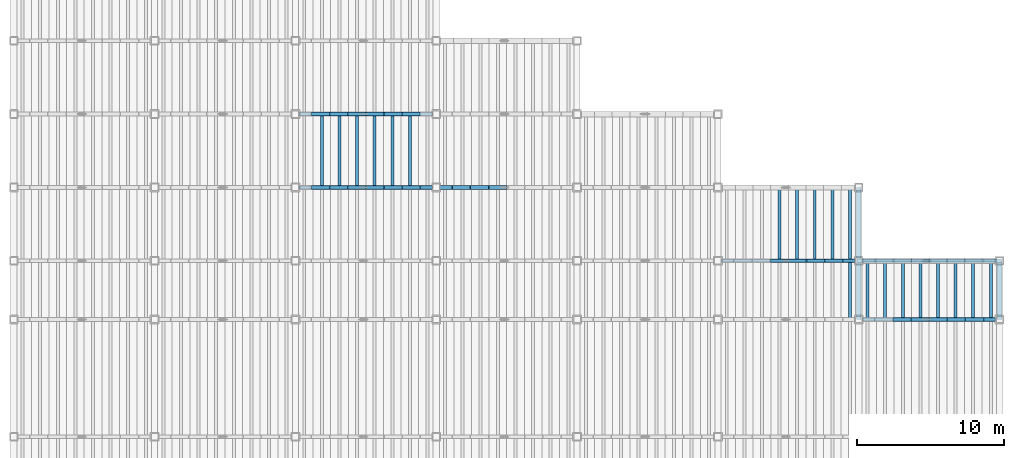
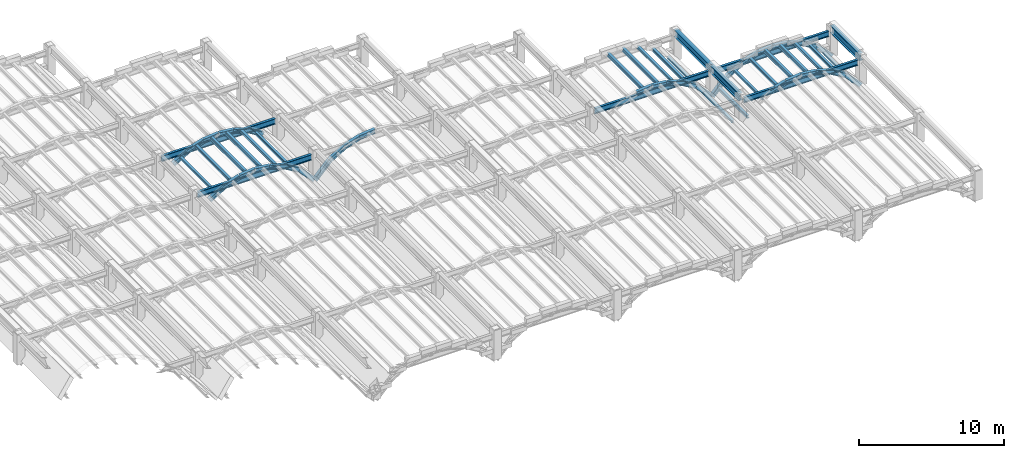
# One storey, part 27 of 70: 56 members, 8 beams.
"""IFC4 building model written with IfcOpenShell, lengths in metres."""

import ifcopenshell
import ifcopenshell.guid

model = None  # the IFC model being written
_history = None  # IfcOwnerHistory: only IFC2X3 demands one
_inside = {}  # id of a spatial element -> (the spatial element, [elements in it])
_under = {}  # id of a project, library or spatial element -> (it, [spatial elements below it])
_declared = {}  # id of a project -> (the project, [libraries it declares])
_typed = {}  # id of a type object -> (the type object, [elements of that type])
_made_of = {}  # id of a material, layer set ... -> (it, [elements and type objects made of it])


def new_model(schema):
    """Start an empty IFC model of exactly this schema.

    Asked for "IFC4X3", IfcOpenShell would pick the latest addendum, in which some entities
    have other attributes; the version numbers below select the first issue.
    IFC2X3 requires an IfcOwnerHistory on every rooted entity: one is made here for all.
    """
    global model, _history
    if schema == "IFC4X3":
        model = ifcopenshell.file(schema_version=(4, 3, 0, 0))
    else:
        model = ifcopenshell.file(schema=schema)
    _inside.clear()
    _under.clear()
    _declared.clear()
    _typed.clear()
    _made_of.clear()
    _history = None
    if model.schema == "IFC2X3":
        org = make("IfcOrganization", Name="unknown")
        user = make(
            "IfcPersonAndOrganization",
            ThePerson=make("IfcPerson", FamilyName="unknown"),
            TheOrganization=org,
        )
        app = make(
            "IfcApplication",
            ApplicationDeveloper=org,
            Version="unknown",
            ApplicationFullName="unknown",
            ApplicationIdentifier="unknown",
        )
        _history = make(
            "IfcOwnerHistory",
            OwningUser=user,
            OwningApplication=app,
            ChangeAction="ADDED",
            CreationDate=0,
        )
    return model


def make(cls, **values):
    """One entity of the class cls with the attributes given. An attribute that is None is left unset."""
    return model.create_entity(
        cls, **{name: value for name, value in values.items() if value is not None}
    )


def rooted(cls, **values):
    """An entity with a GlobalId (a new one), such as an element, a storey or a relation."""
    return make(cls, GlobalId=ifcopenshell.guid.new(), OwnerHistory=_history, **values)


def si_unit(unit_type, name, prefix=None):
    """IfcSIUnit, for example si_unit("LENGTHUNIT", "METRE", prefix="MILLI")."""
    return make("IfcSIUnit", UnitType=unit_type, Prefix=prefix, Name=name)


def assignment(units):
    """IfcUnitAssignment: the units of a project."""
    return None if units is None else make("IfcUnitAssignment", Units=units)


def point(xyz):
    """IfcCartesianPoint."""
    return None if xyz is None else make("IfcCartesianPoint", Coordinates=xyz)


def direction(xyz):
    """IfcDirection."""
    return None if xyz is None else make("IfcDirection", DirectionRatios=xyz)


def frame(location, z_axis=None, x_axis=None):
    """IfcAxis2Placement3D, a coordinate frame: its origin and axes. An axis left out is left unset."""
    return make(
        "IfcAxis2Placement3D",
        Location=point(location),
        Axis=direction(z_axis),
        RefDirection=direction(x_axis),
    )


def frame_2d(location, x_axis=None):
    """IfcAxis2Placement2D, a coordinate frame in the plane: its origin and x axis."""
    return make(
        "IfcAxis2Placement2D", Location=point(location), RefDirection=direction(x_axis)
    )


def origin():
    """The frame at (0, 0, 0) with its axes left unset."""
    return frame((0.0, 0.0, 0.0))


def origin_2d():
    """The frame at (0, 0) in the plane with its x axis left unset."""
    return frame_2d((0.0, 0.0))


def place(relative_to, where):
    """IfcLocalPlacement: puts the frame where relative to a parent placement (None: the world)."""
    return make(
        "IfcLocalPlacement", PlacementRelTo=relative_to, RelativePlacement=where
    )


def context(
    kind, dimensions, precision=None, world=None, true_north=None, identifier=None
):
    """IfcGeometricRepresentationContext, for example the 3D "Model" context."""
    return make(
        "IfcGeometricRepresentationContext",
        ContextIdentifier=identifier,
        ContextType=kind,
        CoordinateSpaceDimension=dimensions,
        Precision=precision,
        WorldCoordinateSystem=world,
        TrueNorth=true_north,
    )


def subcontext(parent, identifier, kind, view, scale=None):
    """IfcGeometricRepresentationSubContext, for example "Body" below "Model"."""
    return make(
        "IfcGeometricRepresentationSubContext",
        ContextIdentifier=identifier,
        ContextType=kind,
        ParentContext=parent,
        TargetScale=scale,
        TargetView=view,
    )


def project(units=None, contexts=None):
    """IfcProject with its units and contexts."""
    return rooted(
        "IfcProject",
        Name="project",
        RepresentationContexts=contexts,
        UnitsInContext=assignment(units),
    )


def spatial(cls, under=None, at=None, **own):
    """A site, building, storey or space (cls), placed at a placement, below another one or the project."""
    s = rooted(cls, ObjectPlacement=at, **own)
    if under is not None:
        _under.setdefault(under.id(), (under, []))[1].append(s)
    return s


def profile(cls, at=None, kind="AREA", **sizes):
    """A parametric profile (cls). Its sizes go by their IFC names, for example OverallWidth=200.0."""
    return make(cls, ProfileType=kind, Position=at, **sizes)


def i_section(**sizes):
    """IfcIShapeProfileDef."""
    return profile("IfcIShapeProfileDef", **sizes)


def extrude(swept, where, along, depth):
    """IfcExtrudedAreaSolid: the profile swept, set in the frame where, extruded along a direction by depth."""
    return make(
        "IfcExtrudedAreaSolid",
        SweptArea=swept,
        Position=where,
        ExtrudedDirection=direction(along),
        Depth=depth,
    )


def shape(context_of_items, identifier, shape_type, items):
    """IfcShapeRepresentation: the items that make up one representation, for example the "Body"."""
    return make(
        "IfcShapeRepresentation",
        ContextOfItems=context_of_items,
        RepresentationIdentifier=identifier,
        RepresentationType=shape_type,
        Items=items,
    )


def material(Name=None, Category=None):
    """IfcMaterial."""
    return make("IfcMaterial", Name=Name, Category=Category)


def material_profile(
    of_material, cross_section, Name=None, Category=None, Priority=None
):
    """IfcMaterialProfile: a cross section and its material."""
    return make(
        "IfcMaterialProfile",
        Name=Name,
        Material=of_material,
        Profile=cross_section,
        Priority=Priority,
        Category=Category,
    )


def profile_set(profiles, Name=None, composite=None):
    """IfcMaterialProfileSet."""
    return make(
        "IfcMaterialProfileSet",
        Name=Name,
        MaterialProfiles=profiles,
        CompositeProfile=composite,
    )


def made_of(thing, what):
    """Note that an element or type object is made of a material, layer set ...; save() writes the relation."""
    if what is not None:
        _made_of.setdefault(what.id(), (what, []))[1].append(thing)
    return thing


def type_object(cls, material=None, **own):
    """A type object (cls), such as IfcWallType, which elements share."""
    return made_of(rooted(cls, **own), material)


def element(
    cls,
    number,
    at=None,
    inside=None,
    cuts=None,
    type_object=None,
    material=None,
    context=None,
    identifier="Body",
    shape_type=None,
    held_by="IfcProductDefinitionShape",
    body=None,
    shapes=None,
    **own,
):
    """One element of the class cls, such as IfcWall. Its Tag is "e" and its number.

    at: its placement. inside: the storey or other place that contains it. cuts: it is an
    opening in that element (IfcRelVoidsElement). A single representation is given by context,
    identifier, shape_type and body (its items); several are given by shapes. held_by: the class
    of the entity that holds the representations. save() writes the other relations.
    """
    e = rooted(cls, Tag="e%d" % number, ObjectPlacement=at, **own)
    if body is not None:
        shapes = [shape(context, identifier, shape_type, body)]
    if shapes is not None:
        e.Representation = make(held_by, Representations=shapes)
    if inside is not None:
        _inside.setdefault(inside.id(), (inside, []))[1].append(e)
    if cuts is not None:
        rooted(
            "IfcRelVoidsElement", RelatingBuildingElement=cuts, RelatedOpeningElement=e
        )
    if type_object is not None:
        _typed.setdefault(type_object.id(), (type_object, []))[1].append(e)
    return made_of(e, material)


def aggregate(whole, parts):
    """IfcRelAggregates: a whole, such as a stair, and the parts it consists of."""
    return rooted("IfcRelAggregates", RelatingObject=whole, RelatedObjects=parts)


def save(model, path):
    """Write the relations noted so far, then the file.

    IfcRelAggregates (storeys below a building ...), IfcRelContainedInSpatialStructure (elements
    in a storey), IfcRelDefinesByType, IfcRelAssociatesMaterial and IfcRelDeclares: one each for
    every whole, place, type object, material and project.
    """
    for whole, parts in _under.values():
        aggregate(whole, parts)
    for where, things in _inside.values():
        rooted(
            "IfcRelContainedInSpatialStructure",
            RelatedElements=things,
            RelatingStructure=where,
        )
    for kind, things in _typed.values():
        rooted("IfcRelDefinesByType", RelatedObjects=things, RelatingType=kind)
    for what, things in _made_of.values():
        rooted("IfcRelAssociatesMaterial", RelatedObjects=things, RelatingMaterial=what)
    for by, libraries in _declared.values():
        rooted("IfcRelDeclares", RelatingContext=by, RelatedDefinitions=libraries)
    model.write(path)


model = new_model("IFC4")

# Units and contexts
model_context = context("Model", 3, precision=1e-05, world=origin(), true_north=direction((0.0, 1.0)))
body_context = subcontext(model_context, "Body", "Model", "MODEL_VIEW")
ifc_project = project(units=[si_unit("LENGTHUNIT", "METRE"), si_unit("AREAUNIT", "SQUARE_METRE"), si_unit("VOLUMEUNIT", "CUBIC_METRE"), si_unit("PLANEANGLEUNIT", "RADIAN"), si_unit("MASSUNIT", "GRAM", prefix="KILO")], contexts=[model_context])

# Site, building, storey
site_placement = place(None, origin())
site = spatial("IfcSite", under=ifc_project, at=site_placement, CompositionType="ELEMENT")
building_placement = place(site_placement, origin())
building = spatial("IfcBuilding", under=site, at=building_placement, Name="Mavantir Sound Aquarium", CompositionType="ELEMENT")
storey_placement = place(building_placement, frame((0.0, 0.0, 27.0)))
storey = spatial("IfcBuildingStorey", under=building, at=storey_placement, Name="RF", CompositionType="ELEMENT", Elevation=27.0)

# Beams
ifc_material = material(Name="Structural Steel ASTM A992 Gr50", Category="steel")
ifc_material_profile_1 = material_profile(ifc_material, i_section(OverallWidth=0.194091796875, OverallDepth=0.468994140625, WebThickness=0.0126953125, FlangeThickness=0.0205078125, FilletRadius=0.01611328125, at=origin_2d()), Name="W460X106")
ifc_profile_set_1 = profile_set([ifc_material_profile_1], Name="Structural Steel ASTM A992 Gr50")
beam_type_1 = type_object("IfcBeamType", Name="BM-W460X106-I", PredefinedType="BEAM", material=ifc_profile_set_1)
for number, where, z_axis, x_axis, name in (
    (1, (127.449951171875, 65.800048828125, -5.327392578125), (1.0, 0.0, 0.0), (0.0, 1.0, 0.0), "Scalloped bay 3 transverse tie girder 231"),
    (2, (127.449951171875, 70.800048828125, -5.327392578125), (1.0, 0.0, 0.0), (0.0, 1.0, 0.0), "Scalloped bay 3 transverse tie girder 241"),
    (3, (156.25, 60.800048828125, -5.327392578125), (1.0, 0.0, 0.0), (0.0, 1.0, 0.0), "Scalloped bay 6 transverse tie girder 431"),
):
    element("IfcBeam", number, at=place(storey_placement, frame(where, z_axis=z_axis, x_axis=x_axis)), inside=storey, type_object=beam_type_1, Name=name, PredefinedType="BEAM", context=body_context, shape_type="SweptSolid", body=[
        extrude(i_section(OverallWidth=0.194091796875, OverallDepth=0.468994140625, WebThickness=0.0126953125, FlangeThickness=0.0205078125, FilletRadius=0.01611328125, at=origin_2d()), origin(), (0.0, 0.0, 1.0), 9.10009765625),
    ])
for number, where, z_axis, x_axis, name in (
    (4, (165.85009765625, 56.800048828125, -5.327392578125), (1.0, 0.0, 0.0), (0.0, 1.0, 0.0), "Scalloped bay 7 transverse tie girder 471"),
    (5, (165.85009765625, 60.800048828125, -5.327392578125), (1.0, 0.0, 0.0), (0.0, 1.0, 0.0), "Scalloped bay 7 transverse tie girder 481"),
):
    element("IfcBeam", number, at=place(storey_placement, frame(where, z_axis=z_axis, x_axis=x_axis)), inside=storey, type_object=beam_type_1, Name=name, PredefinedType="BEAM", context=body_context, shape_type="SweptSolid", body=[
        extrude(i_section(OverallWidth=0.194091796875, OverallDepth=0.468994140625, WebThickness=0.0126953125, FlangeThickness=0.0205078125, FilletRadius=0.01611328125, at=origin_2d()), origin(), (0.0, 0.0, 1.0), 9.099853515625),
    ])
ifc_material_profile_2 = material_profile(ifc_material, i_section(OverallWidth=0.323974609375, OverallDepth=0.611083984375, WebThickness=0.0126953125, FlangeThickness=0.01904296875, FilletRadius=0.01904296875, at=origin_2d()), Name="W610X155")
ifc_profile_set_2 = profile_set([ifc_material_profile_2], Name="Structural Steel ASTM A992 Gr50")
beam_type_2 = type_object("IfcBeamType", Name="BM-W610X155-E", PredefinedType="BEAM", material=ifc_profile_set_2)
beam_1_placement = place(storey_placement, frame((165.60009765625, 56.800048828125, -5.0048828125), z_axis=(0.0, 1.0, 0.0), x_axis=(-1.0, 0.0, 0.0)))
element("IfcBeam", 6, at=beam_1_placement, inside=storey, type_object=beam_type_2, Name="Scalloped roof straight ridge beam 47", PredefinedType="BEAM", context=body_context, shape_type="SweptSolid", body=[
    extrude(i_section(OverallWidth=0.323974609375, OverallDepth=0.611083984375, WebThickness=0.0126953125, FlangeThickness=0.01904296875, FilletRadius=0.01904296875, at=origin_2d()), origin(), (0.0, 0.0, 1.0), 4.0),
])
beam_2_placement = place(storey_placement, frame((165.60009765625, 60.800048828125, -5.0048828125), z_axis=(0.0, 1.0, 0.0), x_axis=(-1.0, 0.0, 0.0)))
element("IfcBeam", 7, at=beam_2_placement, inside=storey, type_object=beam_type_2, Name="Scalloped roof straight ridge beam 48", PredefinedType="BEAM", context=body_context, shape_type="SweptSolid", body=[
    extrude(i_section(OverallWidth=0.323974609375, OverallDepth=0.611083984375, WebThickness=0.0126953125, FlangeThickness=0.01904296875, FilletRadius=0.01904296875, at=origin_2d()), origin(), (0.0, 0.0, 1.0), 5.0),
])
beam_3_placement = place(storey_placement, frame((175.199951171875, 56.800048828125, -5.0048828125), z_axis=(0.0, 1.0, 0.0), x_axis=(-1.0, 0.0, 0.0)))
element("IfcBeam", 8, at=beam_3_placement, inside=storey, type_object=beam_type_2, Name="Scalloped roof straight ridge beam 51", PredefinedType="BEAM", context=body_context, shape_type="SweptSolid", body=[
    extrude(i_section(OverallWidth=0.323974609375, OverallDepth=0.611083984375, WebThickness=0.0126953125, FlangeThickness=0.01904296875, FilletRadius=0.01904296875, at=origin_2d()), origin(), (0.0, 0.0, 1.0), 4.0),
])

# Members
ifc_material_profile_3 = material_profile(ifc_material, i_section(OverallWidth=0.202880859375, OverallDepth=0.202880859375, WebThickness=0.007080078125, FlangeThickness=0.010986328125, FilletRadius=0.010009765625, at=origin_2d()), Name="W200X46")
ifc_profile_set_3 = profile_set([ifc_material_profile_3], Name="Structural Steel ASTM A992 Gr50")
member_type_1 = type_object("IfcMemberType", Name="MEM-TR-W200", PredefinedType="PURLIN", material=ifc_profile_set_3)
for number, where, z_axis, x_axis, name in (
    (9, (129.0, 65.800048828125, -5.77978515625), (0.0, 1.0, 0.0), (-1.0, 0.0, 0.0), "Scalloped bay 3 roof purlin 170"),
    (10, (133.800048828125, 65.800048828125, -5.169921875), (0.0, 1.0, 0.0), (-1.0, 0.0, 0.0), "Scalloped bay 3 roof purlin 174"),
):
    element("IfcMember", number, at=place(storey_placement, frame(where, z_axis=z_axis, x_axis=x_axis)), inside=storey, type_object=member_type_1, Name=name, PredefinedType="PURLIN", context=body_context, shape_type="SweptSolid", body=[
        extrude(i_section(OverallWidth=0.202880859375, OverallDepth=0.202880859375, WebThickness=0.007080078125, FlangeThickness=0.010986328125, FilletRadius=0.010009765625, at=origin_2d()), origin(), (0.0, 0.0, 1.0), 5.0),
    ])
member_1_placement = place(storey_placement, frame((165.0, 56.800048828125, -6.881103515625), z_axis=(0.0, 1.0, 0.0), x_axis=(-1.0, 0.0, 0.0)))
element("IfcMember", 11, at=member_1_placement, inside=storey, type_object=member_type_1, Name="Scalloped bay 6 roof purlin 304", PredefinedType="PURLIN", context=body_context, shape_type="SweptSolid", body=[
    extrude(i_section(OverallWidth=0.202880859375, OverallDepth=0.202880859375, WebThickness=0.007080078125, FlangeThickness=0.010986328125, FilletRadius=0.010009765625, at=origin_2d()), origin(), (0.0, 0.0, 1.0), 4.0),
])
for number, where, z_axis, x_axis, name in (
    (12, (162.60009765625, 60.800048828125, -5.169921875), (0.0, 1.0, 0.0), (-1.0, 0.0, 0.0), "Scalloped bay 6 roof purlin 310"),
    (13, (165.0, 60.800048828125, -6.881103515625), (0.0, 1.0, 0.0), (-1.0, 0.0, 0.0), "Scalloped bay 6 roof purlin 312"),
):
    element("IfcMember", number, at=place(storey_placement, frame(where, z_axis=z_axis, x_axis=x_axis)), inside=storey, type_object=member_type_1, Name=name, PredefinedType="PURLIN", context=body_context, shape_type="SweptSolid", body=[
        extrude(i_section(OverallWidth=0.202880859375, OverallDepth=0.202880859375, WebThickness=0.007080078125, FlangeThickness=0.010986328125, FilletRadius=0.010009765625, at=origin_2d()), origin(), (0.0, 0.0, 1.0), 5.0),
    ])
for number, where, z_axis, x_axis, name in (
    (14, (167.39990234375, 56.800048828125, -5.77978515625), (0.0, 1.0, 0.0), (-1.0, 0.0, 0.0), "Scalloped bay 7 roof purlin 330"),
    (15, (172.199951171875, 56.800048828125, -5.169921875), (0.0, 1.0, 0.0), (-1.0, 0.0, 0.0), "Scalloped bay 7 roof purlin 334"),
    (16, (174.60009765625, 56.800048828125, -6.881103515625), (0.0, 1.0, 0.0), (-1.0, 0.0, 0.0), "Scalloped bay 7 roof purlin 336"),
):
    element("IfcMember", number, at=place(storey_placement, frame(where, z_axis=z_axis, x_axis=x_axis)), inside=storey, type_object=member_type_1, Name=name, PredefinedType="PURLIN", context=body_context, shape_type="SweptSolid", body=[
        extrude(i_section(OverallWidth=0.202880859375, OverallDepth=0.202880859375, WebThickness=0.007080078125, FlangeThickness=0.010986328125, FilletRadius=0.010009765625, at=origin_2d()), origin(), (0.0, 0.0, 1.0), 4.0),
    ])
ifc_material_profile_4 = material_profile(ifc_material, i_section(OverallWidth=0.202880859375, OverallDepth=0.251953125, WebThickness=0.008056640625, FlangeThickness=0.013427734375, FilletRadius=0.011962890625, at=origin_2d()), Name="W250X58")
ifc_profile_set_4 = profile_set([ifc_material_profile_4], Name="Structural Steel ASTM A992 Gr50")
member_type_2 = type_object("IfcMemberType", Name="MEM-TR-W250", PredefinedType="PURLIN", material=ifc_profile_set_4)
for number, where, z_axis, x_axis, name in (
    (17, (130.199951171875, 65.800048828125, -5.194580078125), (0.0, 1.0, 0.0), (-1.0, 0.0, 0.0), "Scalloped bay 3 roof purlin 171"),
    (18, (135.0, 65.800048828125, -5.804443359375), (0.0, 1.0, 0.0), (-1.0, 0.0, 0.0), "Scalloped bay 3 roof purlin 175"),
    (19, (163.800048828125, 60.800048828125, -5.804443359375), (0.0, 1.0, 0.0), (-1.0, 0.0, 0.0), "Scalloped bay 6 roof purlin 311"),
):
    element("IfcMember", number, at=place(storey_placement, frame(where, z_axis=z_axis, x_axis=x_axis)), inside=storey, type_object=member_type_2, Name=name, PredefinedType="PURLIN", context=body_context, shape_type="SweptSolid", body=[
        extrude(i_section(OverallWidth=0.202880859375, OverallDepth=0.251953125, WebThickness=0.008056640625, FlangeThickness=0.013427734375, FilletRadius=0.011962890625, at=origin_2d()), origin(), (0.0, 0.0, 1.0), 5.0),
    ])
for number, where, z_axis, x_axis, name in (
    (20, (166.199951171875, 56.800048828125, -6.90576171875), (0.0, 1.0, 0.0), (-1.0, 0.0, 0.0), "Scalloped bay 7 roof purlin 329"),
    (21, (168.60009765625, 56.800048828125, -5.194580078125), (0.0, 1.0, 0.0), (-1.0, 0.0, 0.0), "Scalloped bay 7 roof purlin 331"),
    (22, (173.39990234375, 56.800048828125, -5.804443359375), (0.0, 1.0, 0.0), (-1.0, 0.0, 0.0), "Scalloped bay 7 roof purlin 335"),
):
    element("IfcMember", number, at=place(storey_placement, frame(where, z_axis=z_axis, x_axis=x_axis)), inside=storey, type_object=member_type_2, Name=name, PredefinedType="PURLIN", context=body_context, shape_type="SweptSolid", body=[
        extrude(i_section(OverallWidth=0.202880859375, OverallDepth=0.251953125, WebThickness=0.008056640625, FlangeThickness=0.013427734375, FilletRadius=0.011962890625, at=origin_2d()), origin(), (0.0, 0.0, 1.0), 4.0),
    ])
ifc_material_profile_5 = material_profile(ifc_material, i_section(OverallWidth=0.205078125, OverallDepth=0.31005859375, WebThickness=0.009521484375, FlangeThickness=0.016357421875, FilletRadius=0.012939453125, at=origin_2d()), Name="W310X74")
ifc_profile_set_5 = profile_set([ifc_material_profile_5], Name="Structural Steel ASTM A992 Gr50")
member_type_3 = type_object("IfcMemberType", Name="MEM-TR-W310", PredefinedType="RAFTER", material=ifc_profile_set_5)
for number, where, z_axis, x_axis, name in (
    (23, (131.39990234375, 65.800048828125, -4.933837890625), (0.0, 1.0, 0.0), (-1.0, 0.0, 0.0), "Scalloped bay 3 roof purlin 172"),
    (24, (132.60009765625, 65.800048828125, -4.933837890625), (0.0, 1.0, 0.0), (-1.0, 0.0, 0.0), "Scalloped bay 3 roof purlin 173"),
    (25, (160.199951171875, 60.800048828125, -4.933837890625), (0.0, 1.0, 0.0), (-1.0, 0.0, 0.0), "Scalloped bay 6 roof purlin 308"),
    (26, (161.39990234375, 60.800048828125, -4.933837890625), (0.0, 1.0, 0.0), (-1.0, 0.0, 0.0), "Scalloped bay 6 roof purlin 309"),
):
    element("IfcMember", number, at=place(storey_placement, frame(where, z_axis=z_axis, x_axis=x_axis)), inside=storey, type_object=member_type_3, Name=name, PredefinedType="RAFTER", context=body_context, shape_type="SweptSolid", body=[
        extrude(i_section(OverallWidth=0.205078125, OverallDepth=0.31005859375, WebThickness=0.009521484375, FlangeThickness=0.016357421875, FilletRadius=0.012939453125, at=origin_2d()), origin(), (0.0, 0.0, 1.0), 5.0),
    ])
for number, where, z_axis, x_axis, name in (
    (27, (169.800048828125, 56.800048828125, -4.933837890625), (0.0, 1.0, 0.0), (-1.0, 0.0, 0.0), "Scalloped bay 7 roof purlin 332"),
    (28, (171.0, 56.800048828125, -4.933837890625), (0.0, 1.0, 0.0), (-1.0, 0.0, 0.0), "Scalloped bay 7 roof purlin 333"),
):
    element("IfcMember", number, at=place(storey_placement, frame(where, z_axis=z_axis, x_axis=x_axis)), inside=storey, type_object=member_type_3, Name=name, PredefinedType="RAFTER", context=body_context, shape_type="SweptSolid", body=[
        extrude(i_section(OverallWidth=0.205078125, OverallDepth=0.31005859375, WebThickness=0.009521484375, FlangeThickness=0.016357421875, FilletRadius=0.012939453125, at=origin_2d()), origin(), (0.0, 0.0, 1.0), 4.0),
    ])
ifc_material_profile_6 = material_profile(ifc_material, i_section(OverallWidth=0.25390625, OverallDepth=0.35302734375, WebThickness=0.009521484375, FlangeThickness=0.016357421875, FilletRadius=0.014892578125, at=origin_2d()), Name="W360X91")
ifc_profile_set_6 = profile_set([ifc_material_profile_6], Name="Structural Steel ASTM A992 Gr50")
member_type_4 = type_object("IfcMemberType", Name="MEM-TR-W360", PredefinedType="RAFTER", material=ifc_profile_set_6)
member_2_placement = place(storey_placement, frame((128.39990234375, 65.800048828125, -6.11328125), z_axis=(0.856692316174, 0.0, 0.515827757501), x_axis=(0.0, 1.0, 0.0)))
element("IfcMember", 29, at=member_2_placement, inside=storey, type_object=member_type_4, Name="Scalloped bay 3 sagging-arc trough rib 233", PredefinedType="RAFTER", context=body_context, shape_type="SweptSolid", body=[
    extrude(i_section(OverallWidth=0.25390625, OverallDepth=0.35302734375, WebThickness=0.009521484375, FlangeThickness=0.016357421875, FilletRadius=0.014892578125, at=origin_2d()), origin(), (0.0, 0.0, 1.0), 1.40087890625),
])
member_3_placement = place(storey_placement, frame((129.60009765625, 65.800048828125, -5.390625), z_axis=(0.951055396379, 0.0, 0.309020441102), x_axis=(0.0, 1.0, 0.0)))
element("IfcMember", 30, at=member_3_placement, inside=storey, type_object=member_type_4, Name="Scalloped bay 3 sagging-arc trough rib 234", PredefinedType="RAFTER", context=body_context, shape_type="SweptSolid", body=[
    extrude(i_section(OverallWidth=0.25390625, OverallDepth=0.35302734375, WebThickness=0.009521484375, FlangeThickness=0.016357421875, FilletRadius=0.014892578125, at=origin_2d()), origin(), (0.0, 0.0, 1.0), 1.26171875),
])
for number, where, z_axis, x_axis, name in (
    (31, (130.800048828125, 65.800048828125, -5.000732421875), (0.994680359373, 0.0, 0.103009624196), (0.0, 1.0, 0.0), "Scalloped bay 3 sagging-arc trough rib 235"),
    (32, (132.0, 65.800048828125, -4.87646484375), (0.994680359373, 0.0, -0.103009624196), (0.0, 1.0, 0.0), "Scalloped bay 3 sagging-arc trough rib 236"),
):
    element("IfcMember", number, at=place(storey_placement, frame(where, z_axis=z_axis, x_axis=x_axis)), inside=storey, type_object=member_type_4, Name=name, PredefinedType="RAFTER", context=body_context, shape_type="SweptSolid", body=[
        extrude(i_section(OverallWidth=0.25390625, OverallDepth=0.35302734375, WebThickness=0.009521484375, FlangeThickness=0.016357421875, FilletRadius=0.014892578125, at=origin_2d()), origin(), (0.0, 0.0, 1.0), 1.206298828125),
    ])
member_4_placement = place(storey_placement, frame((133.199951171875, 65.800048828125, -5.000732421875), z_axis=(0.951055396379, 0.0, -0.309020441102), x_axis=(0.0, 1.0, 0.0)))
element("IfcMember", 33, at=member_4_placement, inside=storey, type_object=member_type_4, Name="Scalloped bay 3 sagging-arc trough rib 238", PredefinedType="RAFTER", context=body_context, shape_type="SweptSolid", body=[
    extrude(i_section(OverallWidth=0.25390625, OverallDepth=0.35302734375, WebThickness=0.009521484375, FlangeThickness=0.016357421875, FilletRadius=0.014892578125, at=origin_2d()), origin(), (0.0, 0.0, 1.0), 1.26171875),
])
member_5_placement = place(storey_placement, frame((134.39990234375, 65.800048828125, -5.390625), z_axis=(0.856692316174, 0.0, -0.515827757501), x_axis=(0.0, 1.0, 0.0)))
element("IfcMember", 34, at=member_5_placement, inside=storey, type_object=member_type_4, Name="Scalloped bay 3 sagging-arc trough rib 239", PredefinedType="RAFTER", context=body_context, shape_type="SweptSolid", body=[
    extrude(i_section(OverallWidth=0.25390625, OverallDepth=0.35302734375, WebThickness=0.009521484375, FlangeThickness=0.016357421875, FilletRadius=0.014892578125, at=origin_2d()), origin(), (0.0, 0.0, 1.0), 1.40087890625),
])
member_6_placement = place(storey_placement, frame((135.60009765625, 65.800048828125, -6.11328125), z_axis=(0.688727365252, 0.0, -0.725020424784), x_axis=(0.0, 1.0, 0.0)))
element("IfcMember", 35, at=member_6_placement, inside=storey, type_object=member_type_4, Name="Scalloped bay 3 sagging-arc trough rib 240", PredefinedType="RAFTER", context=body_context, shape_type="SweptSolid", body=[
    extrude(i_section(OverallWidth=0.25390625, OverallDepth=0.35302734375, WebThickness=0.009521484375, FlangeThickness=0.016357421875, FilletRadius=0.014892578125, at=origin_2d()), origin(), (0.0, 0.0, 1.0), 1.7421875),
])
member_7_placement = place(storey_placement, frame((128.39990234375, 70.800048828125, -6.11328125), z_axis=(0.856692316174, 0.0, 0.515827757501), x_axis=(0.0, 1.0, 0.0)))
element("IfcMember", 36, at=member_7_placement, inside=storey, type_object=member_type_4, Name="Scalloped bay 3 sagging-arc trough rib 243", PredefinedType="RAFTER", context=body_context, shape_type="SweptSolid", body=[
    extrude(i_section(OverallWidth=0.25390625, OverallDepth=0.35302734375, WebThickness=0.009521484375, FlangeThickness=0.016357421875, FilletRadius=0.014892578125, at=origin_2d()), origin(), (0.0, 0.0, 1.0), 1.40087890625),
])
member_8_placement = place(storey_placement, frame((129.60009765625, 70.800048828125, -5.390625), z_axis=(0.951055396379, 0.0, 0.309020441102), x_axis=(0.0, 1.0, 0.0)))
element("IfcMember", 37, at=member_8_placement, inside=storey, type_object=member_type_4, Name="Scalloped bay 3 sagging-arc trough rib 244", PredefinedType="RAFTER", context=body_context, shape_type="SweptSolid", body=[
    extrude(i_section(OverallWidth=0.25390625, OverallDepth=0.35302734375, WebThickness=0.009521484375, FlangeThickness=0.016357421875, FilletRadius=0.014892578125, at=origin_2d()), origin(), (0.0, 0.0, 1.0), 1.26171875),
])
for number, where, z_axis, x_axis, name in (
    (38, (130.800048828125, 70.800048828125, -5.000732421875), (0.994680359373, 0.0, 0.103009624196), (0.0, 1.0, 0.0), "Scalloped bay 3 sagging-arc trough rib 245"),
    (39, (132.0, 70.800048828125, -4.87646484375), (0.994680359373, 0.0, -0.103009624196), (0.0, 1.0, 0.0), "Scalloped bay 3 sagging-arc trough rib 246"),
):
    element("IfcMember", number, at=place(storey_placement, frame(where, z_axis=z_axis, x_axis=x_axis)), inside=storey, type_object=member_type_4, Name=name, PredefinedType="RAFTER", context=body_context, shape_type="SweptSolid", body=[
        extrude(i_section(OverallWidth=0.25390625, OverallDepth=0.35302734375, WebThickness=0.009521484375, FlangeThickness=0.016357421875, FilletRadius=0.014892578125, at=origin_2d()), origin(), (0.0, 0.0, 1.0), 1.206298828125),
    ])
member_9_placement = place(storey_placement, frame((133.199951171875, 70.800048828125, -5.000732421875), z_axis=(0.951055396379, 0.0, -0.309020441102), x_axis=(0.0, 1.0, 0.0)))
element("IfcMember", 40, at=member_9_placement, inside=storey, type_object=member_type_4, Name="Scalloped bay 3 sagging-arc trough rib 248", PredefinedType="RAFTER", context=body_context, shape_type="SweptSolid", body=[
    extrude(i_section(OverallWidth=0.25390625, OverallDepth=0.35302734375, WebThickness=0.009521484375, FlangeThickness=0.016357421875, FilletRadius=0.014892578125, at=origin_2d()), origin(), (0.0, 0.0, 1.0), 1.26171875),
])
member_10_placement = place(storey_placement, frame((134.39990234375, 70.800048828125, -5.390625), z_axis=(0.856692316174, 0.0, -0.515827757501), x_axis=(0.0, 1.0, 0.0)))
element("IfcMember", 41, at=member_10_placement, inside=storey, type_object=member_type_4, Name="Scalloped bay 3 sagging-arc trough rib 249", PredefinedType="RAFTER", context=body_context, shape_type="SweptSolid", body=[
    extrude(i_section(OverallWidth=0.25390625, OverallDepth=0.35302734375, WebThickness=0.009521484375, FlangeThickness=0.016357421875, FilletRadius=0.014892578125, at=origin_2d()), origin(), (0.0, 0.0, 1.0), 1.40087890625),
])
member_11_placement = place(storey_placement, frame((136.800048828125, 65.800048828125, -7.37646484375), z_axis=(0.688727365252, 0.0, 0.725020424784), x_axis=(0.0, 1.0, 0.0)))
element("IfcMember", 42, at=member_11_placement, inside=storey, type_object=member_type_4, Name="Scalloped bay 4 sagging-arc trough rib 312", PredefinedType="RAFTER", context=body_context, shape_type="SweptSolid", body=[
    extrude(i_section(OverallWidth=0.25390625, OverallDepth=0.35302734375, WebThickness=0.009521484375, FlangeThickness=0.016357421875, FilletRadius=0.014892578125, at=origin_2d()), origin(), (0.0, 0.0, 1.0), 1.7421875),
])
member_12_placement = place(storey_placement, frame((138.0, 65.800048828125, -6.11328125), z_axis=(0.856645937356, 0.0, 0.515904776109), x_axis=(0.0, 1.0, 0.0)))
element("IfcMember", 43, at=member_12_placement, inside=storey, type_object=member_type_4, Name="Scalloped bay 4 sagging-arc trough rib 313", PredefinedType="RAFTER", context=body_context, shape_type="SweptSolid", body=[
    extrude(i_section(OverallWidth=0.25390625, OverallDepth=0.35302734375, WebThickness=0.009521484375, FlangeThickness=0.016357421875, FilletRadius=0.014892578125, at=origin_2d()), origin(), (0.0, 0.0, 1.0), 1.400634765625),
])
member_13_placement = place(storey_placement, frame((139.199951171875, 65.800048828125, -5.390625), z_axis=(0.951055396379, 0.0, 0.309020441102), x_axis=(0.0, 1.0, 0.0)))
element("IfcMember", 44, at=member_13_placement, inside=storey, type_object=member_type_4, Name="Scalloped bay 4 sagging-arc trough rib 314", PredefinedType="RAFTER", context=body_context, shape_type="SweptSolid", body=[
    extrude(i_section(OverallWidth=0.25390625, OverallDepth=0.35302734375, WebThickness=0.009521484375, FlangeThickness=0.016357421875, FilletRadius=0.014892578125, at=origin_2d()), origin(), (0.0, 0.0, 1.0), 1.26171875),
])
member_14_placement = place(storey_placement, frame((140.39990234375, 65.800048828125, -5.000732421875), z_axis=(0.994682506138, 0.0, 0.102988892519), x_axis=(0.0, 1.0, 0.0)))
element("IfcMember", 45, at=member_14_placement, inside=storey, type_object=member_type_4, Name="Scalloped bay 4 sagging-arc trough rib 315", PredefinedType="RAFTER", context=body_context, shape_type="SweptSolid", body=[
    extrude(i_section(OverallWidth=0.25390625, OverallDepth=0.35302734375, WebThickness=0.009521484375, FlangeThickness=0.016357421875, FilletRadius=0.014892578125, at=origin_2d()), origin(), (0.0, 0.0, 1.0), 1.20654296875),
])
for number, where, z_axis, x_axis, name in (
    (46, (159.60009765625, 60.800048828125, -5.000732421875), (0.994680359373, 0.0, 0.103009624196), (0.0, 1.0, 0.0), "Scalloped bay 6 sagging-arc trough rib 435"),
    (47, (160.800048828125, 60.800048828125, -4.87646484375), (0.994680359373, 0.0, -0.103009624196), (0.0, 1.0, 0.0), "Scalloped bay 6 sagging-arc trough rib 436"),
):
    element("IfcMember", number, at=place(storey_placement, frame(where, z_axis=z_axis, x_axis=x_axis)), inside=storey, type_object=member_type_4, Name=name, PredefinedType="RAFTER", context=body_context, shape_type="SweptSolid", body=[
        extrude(i_section(OverallWidth=0.25390625, OverallDepth=0.35302734375, WebThickness=0.009521484375, FlangeThickness=0.016357421875, FilletRadius=0.014892578125, at=origin_2d()), origin(), (0.0, 0.0, 1.0), 1.206298828125),
    ])
member_15_placement = place(storey_placement, frame((162.0, 60.800048828125, -5.000732421875), z_axis=(0.951055396379, 0.0, -0.309020441102), x_axis=(0.0, 1.0, 0.0)))
element("IfcMember", 48, at=member_15_placement, inside=storey, type_object=member_type_4, Name="Scalloped bay 6 sagging-arc trough rib 438", PredefinedType="RAFTER", context=body_context, shape_type="SweptSolid", body=[
    extrude(i_section(OverallWidth=0.25390625, OverallDepth=0.35302734375, WebThickness=0.009521484375, FlangeThickness=0.016357421875, FilletRadius=0.014892578125, at=origin_2d()), origin(), (0.0, 0.0, 1.0), 1.26171875),
])
member_16_placement = place(storey_placement, frame((163.199951171875, 60.800048828125, -5.390625), z_axis=(0.856645937356, 0.0, -0.515904776109), x_axis=(0.0, 1.0, 0.0)))
element("IfcMember", 49, at=member_16_placement, inside=storey, type_object=member_type_4, Name="Scalloped bay 6 sagging-arc trough rib 439", PredefinedType="RAFTER", context=body_context, shape_type="SweptSolid", body=[
    extrude(i_section(OverallWidth=0.25390625, OverallDepth=0.35302734375, WebThickness=0.009521484375, FlangeThickness=0.016357421875, FilletRadius=0.014892578125, at=origin_2d()), origin(), (0.0, 0.0, 1.0), 1.400634765625),
])
member_17_placement = place(storey_placement, frame((164.39990234375, 60.800048828125, -6.11328125), z_axis=(0.688801013332, 0.0, -0.724950456261), x_axis=(0.0, 1.0, 0.0)))
element("IfcMember", 50, at=member_17_placement, inside=storey, type_object=member_type_4, Name="Scalloped bay 6 sagging-arc trough rib 440", PredefinedType="RAFTER", context=body_context, shape_type="SweptSolid", body=[
    extrude(i_section(OverallWidth=0.25390625, OverallDepth=0.35302734375, WebThickness=0.009521484375, FlangeThickness=0.016357421875, FilletRadius=0.014892578125, at=origin_2d()), origin(), (0.0, 0.0, 1.0), 1.742431640625),
])
member_18_placement = place(storey_placement, frame((168.0, 56.800048828125, -5.390625), z_axis=(0.951055396379, 0.0, 0.309020441102), x_axis=(0.0, 1.0, 0.0)))
element("IfcMember", 51, at=member_18_placement, inside=storey, type_object=member_type_4, Name="Scalloped bay 7 sagging-arc trough rib 474", PredefinedType="RAFTER", context=body_context, shape_type="SweptSolid", body=[
    extrude(i_section(OverallWidth=0.25390625, OverallDepth=0.35302734375, WebThickness=0.009521484375, FlangeThickness=0.016357421875, FilletRadius=0.014892578125, at=origin_2d()), origin(), (0.0, 0.0, 1.0), 1.26171875),
])
member_19_placement = place(storey_placement, frame((169.199951171875, 56.800048828125, -5.000732421875), z_axis=(0.994680359373, 0.0, 0.103009624196), x_axis=(0.0, 1.0, 0.0)))
element("IfcMember", 52, at=member_19_placement, inside=storey, type_object=member_type_4, Name="Scalloped bay 7 sagging-arc trough rib 475", PredefinedType="RAFTER", context=body_context, shape_type="SweptSolid", body=[
    extrude(i_section(OverallWidth=0.25390625, OverallDepth=0.35302734375, WebThickness=0.009521484375, FlangeThickness=0.016357421875, FilletRadius=0.014892578125, at=origin_2d()), origin(), (0.0, 0.0, 1.0), 1.206298828125),
])
member_20_placement = place(storey_placement, frame((170.39990234375, 56.800048828125, -4.87646484375), z_axis=(0.994682506138, 0.0, -0.102988892519), x_axis=(0.0, 1.0, 0.0)))
element("IfcMember", 53, at=member_20_placement, inside=storey, type_object=member_type_4, Name="Scalloped bay 7 sagging-arc trough rib 476", PredefinedType="RAFTER", context=body_context, shape_type="SweptSolid", body=[
    extrude(i_section(OverallWidth=0.25390625, OverallDepth=0.35302734375, WebThickness=0.009521484375, FlangeThickness=0.016357421875, FilletRadius=0.014892578125, at=origin_2d()), origin(), (0.0, 0.0, 1.0), 1.20654296875),
])
member_21_placement = place(storey_placement, frame((171.60009765625, 56.800048828125, -5.000732421875), z_axis=(0.951055396379, 0.0, -0.309020441102), x_axis=(0.0, 1.0, 0.0)))
element("IfcMember", 54, at=member_21_placement, inside=storey, type_object=member_type_4, Name="Scalloped bay 7 sagging-arc trough rib 478", PredefinedType="RAFTER", context=body_context, shape_type="SweptSolid", body=[
    extrude(i_section(OverallWidth=0.25390625, OverallDepth=0.35302734375, WebThickness=0.009521484375, FlangeThickness=0.016357421875, FilletRadius=0.014892578125, at=origin_2d()), origin(), (0.0, 0.0, 1.0), 1.26171875),
])
member_22_placement = place(storey_placement, frame((172.800048828125, 56.800048828125, -5.390625), z_axis=(0.856645937356, 0.0, -0.515904776109), x_axis=(0.0, 1.0, 0.0)))
element("IfcMember", 55, at=member_22_placement, inside=storey, type_object=member_type_4, Name="Scalloped bay 7 sagging-arc trough rib 479", PredefinedType="RAFTER", context=body_context, shape_type="SweptSolid", body=[
    extrude(i_section(OverallWidth=0.25390625, OverallDepth=0.35302734375, WebThickness=0.009521484375, FlangeThickness=0.016357421875, FilletRadius=0.014892578125, at=origin_2d()), origin(), (0.0, 0.0, 1.0), 1.400634765625),
])
for number, where, z_axis, x_axis, name in (
    (56, (174.0, 56.800048828125, -6.11328125), (0.688727365252, 0.0, -0.725020424784), (0.0, 1.0, 0.0), "Scalloped bay 7 sagging-arc trough rib 480"),
    (57, (165.60009765625, 60.800048828125, -7.37646484375), (0.688727365252, 0.0, 0.725020424784), (0.0, 1.0, 0.0), "Scalloped bay 7 sagging-arc trough rib 482"),
):
    element("IfcMember", number, at=place(storey_placement, frame(where, z_axis=z_axis, x_axis=x_axis)), inside=storey, type_object=member_type_4, Name=name, PredefinedType="RAFTER", context=body_context, shape_type="SweptSolid", body=[
        extrude(i_section(OverallWidth=0.25390625, OverallDepth=0.35302734375, WebThickness=0.009521484375, FlangeThickness=0.016357421875, FilletRadius=0.014892578125, at=origin_2d()), origin(), (0.0, 0.0, 1.0), 1.7421875),
    ])
member_23_placement = place(storey_placement, frame((166.800048828125, 60.800048828125, -6.11328125), z_axis=(0.856645937356, 0.0, 0.515904776109), x_axis=(0.0, 1.0, 0.0)))
element("IfcMember", 58, at=member_23_placement, inside=storey, type_object=member_type_4, Name="Scalloped bay 7 sagging-arc trough rib 483", PredefinedType="RAFTER", context=body_context, shape_type="SweptSolid", body=[
    extrude(i_section(OverallWidth=0.25390625, OverallDepth=0.35302734375, WebThickness=0.009521484375, FlangeThickness=0.016357421875, FilletRadius=0.014892578125, at=origin_2d()), origin(), (0.0, 0.0, 1.0), 1.400634765625),
])
member_24_placement = place(storey_placement, frame((168.0, 60.800048828125, -5.390625), z_axis=(0.951055396379, 0.0, 0.309020441102), x_axis=(0.0, 1.0, 0.0)))
element("IfcMember", 59, at=member_24_placement, inside=storey, type_object=member_type_4, Name="Scalloped bay 7 sagging-arc trough rib 484", PredefinedType="RAFTER", context=body_context, shape_type="SweptSolid", body=[
    extrude(i_section(OverallWidth=0.25390625, OverallDepth=0.35302734375, WebThickness=0.009521484375, FlangeThickness=0.016357421875, FilletRadius=0.014892578125, at=origin_2d()), origin(), (0.0, 0.0, 1.0), 1.26171875),
])
member_25_placement = place(storey_placement, frame((169.199951171875, 60.800048828125, -5.000732421875), z_axis=(0.994680359373, 0.0, 0.103009624196), x_axis=(0.0, 1.0, 0.0)))
element("IfcMember", 60, at=member_25_placement, inside=storey, type_object=member_type_4, Name="Scalloped bay 7 sagging-arc trough rib 485", PredefinedType="RAFTER", context=body_context, shape_type="SweptSolid", body=[
    extrude(i_section(OverallWidth=0.25390625, OverallDepth=0.35302734375, WebThickness=0.009521484375, FlangeThickness=0.016357421875, FilletRadius=0.014892578125, at=origin_2d()), origin(), (0.0, 0.0, 1.0), 1.206298828125),
])
member_26_placement = place(storey_placement, frame((170.39990234375, 60.800048828125, -4.87646484375), z_axis=(0.994682506138, 0.0, -0.102988892519), x_axis=(0.0, 1.0, 0.0)))
element("IfcMember", 61, at=member_26_placement, inside=storey, type_object=member_type_4, Name="Scalloped bay 7 sagging-arc trough rib 486", PredefinedType="RAFTER", context=body_context, shape_type="SweptSolid", body=[
    extrude(i_section(OverallWidth=0.25390625, OverallDepth=0.35302734375, WebThickness=0.009521484375, FlangeThickness=0.016357421875, FilletRadius=0.014892578125, at=origin_2d()), origin(), (0.0, 0.0, 1.0), 1.20654296875),
])
member_27_placement = place(storey_placement, frame((171.60009765625, 60.800048828125, -5.000732421875), z_axis=(0.951055396379, 0.0, -0.309020441102), x_axis=(0.0, 1.0, 0.0)))
element("IfcMember", 62, at=member_27_placement, inside=storey, type_object=member_type_4, Name="Scalloped bay 7 sagging-arc trough rib 488", PredefinedType="RAFTER", context=body_context, shape_type="SweptSolid", body=[
    extrude(i_section(OverallWidth=0.25390625, OverallDepth=0.35302734375, WebThickness=0.009521484375, FlangeThickness=0.016357421875, FilletRadius=0.014892578125, at=origin_2d()), origin(), (0.0, 0.0, 1.0), 1.26171875),
])
member_28_placement = place(storey_placement, frame((172.800048828125, 60.800048828125, -5.390625), z_axis=(0.856645937356, 0.0, -0.515904776109), x_axis=(0.0, 1.0, 0.0)))
element("IfcMember", 63, at=member_28_placement, inside=storey, type_object=member_type_4, Name="Scalloped bay 7 sagging-arc trough rib 489", PredefinedType="RAFTER", context=body_context, shape_type="SweptSolid", body=[
    extrude(i_section(OverallWidth=0.25390625, OverallDepth=0.35302734375, WebThickness=0.009521484375, FlangeThickness=0.016357421875, FilletRadius=0.014892578125, at=origin_2d()), origin(), (0.0, 0.0, 1.0), 1.400634765625),
])
member_29_placement = place(storey_placement, frame((174.0, 60.800048828125, -6.11328125), z_axis=(0.688727365252, 0.0, -0.725020424784), x_axis=(0.0, 1.0, 0.0)))
element("IfcMember", 64, at=member_29_placement, inside=storey, type_object=member_type_4, Name="Scalloped bay 7 sagging-arc trough rib 490", PredefinedType="RAFTER", context=body_context, shape_type="SweptSolid", body=[
    extrude(i_section(OverallWidth=0.25390625, OverallDepth=0.35302734375, WebThickness=0.009521484375, FlangeThickness=0.016357421875, FilletRadius=0.014892578125, at=origin_2d()), origin(), (0.0, 0.0, 1.0), 1.7421875),
])

save(model, "model.ifc")
